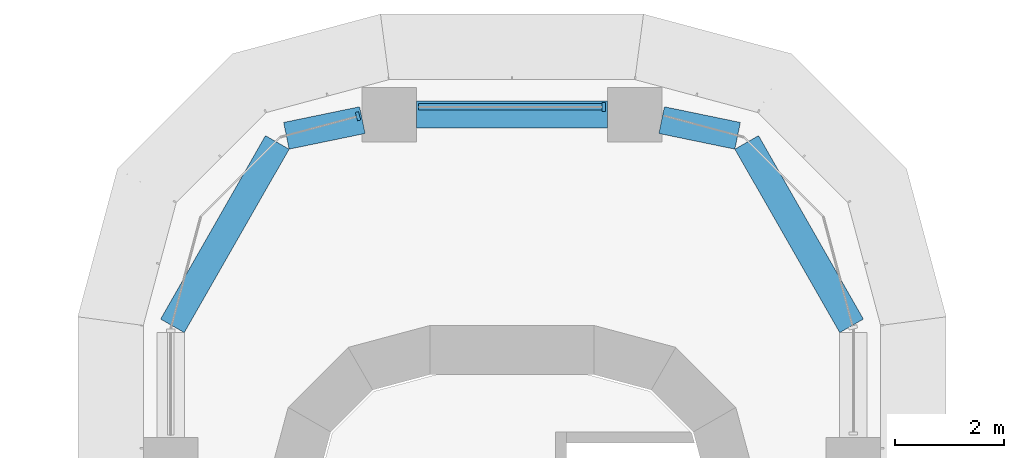
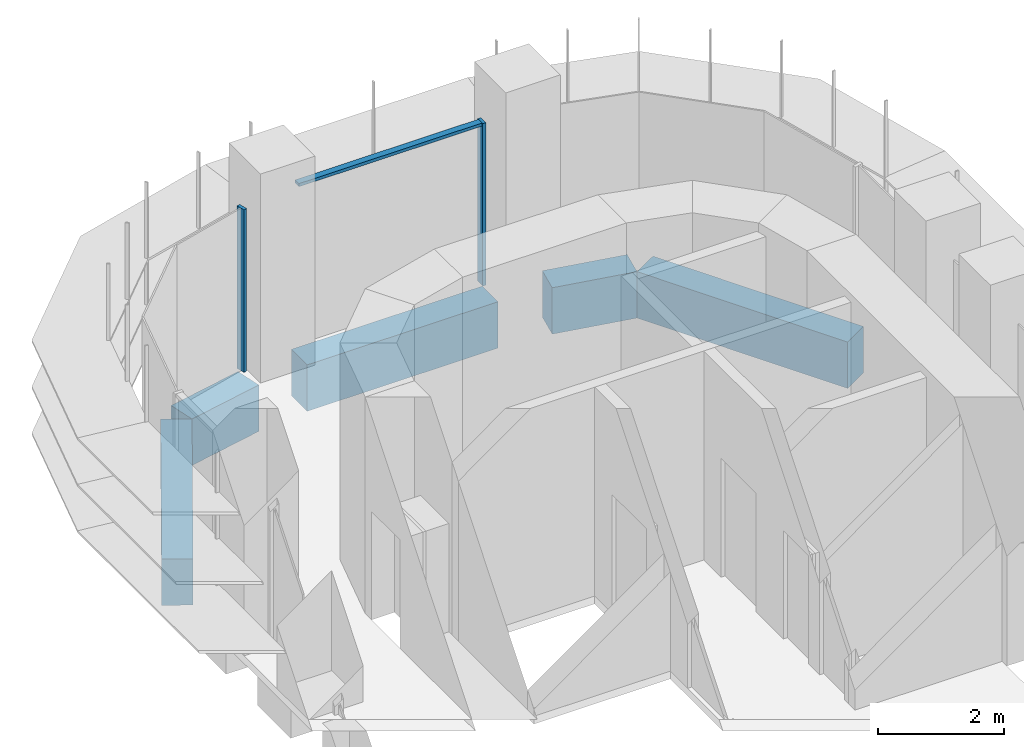
# One storey, part 12 of 23: 5 beams, 3 members, 2 elements without a shape of their own.
"""IFC4 building model written with IfcOpenShell, lengths in metres."""

from ifc_helpers import new_model, si_unit, direction, frame, origin, origin_2d, place, context, subcontext, project, spatial, polyline, rectangle, outline, extrude, source, transform, mapped, material, material_profile, profile_set, type_object, element, aggregate, save


model = new_model("IFC4")

# Units and contexts
model_context = context("Model", 3, precision=1e-05, world=origin(), true_north=direction((0.0, 1.0)))
body_context = subcontext(model_context, "Body", "Model", "MODEL_VIEW")
ifc_project = project(units=[si_unit("LENGTHUNIT", "METRE"), si_unit("AREAUNIT", "SQUARE_METRE"), si_unit("VOLUMEUNIT", "CUBIC_METRE"), si_unit("PLANEANGLEUNIT", "RADIAN"), si_unit("MASSUNIT", "GRAM", prefix="KILO")], contexts=[model_context])

# Site, building, storey
site_placement = place(None, origin())
site = spatial("IfcSite", under=ifc_project, at=site_placement, CompositionType="ELEMENT")
building_placement = place(site_placement, origin())
building = spatial("IfcBuilding", under=site, at=building_placement, Name="Zarbagh Exchange Tower", CompositionType="ELEMENT")
storey_placement = place(building_placement, frame((0.0, 0.0, 48.0)))
storey = spatial("IfcBuildingStorey", under=building, at=storey_placement, Name="L10", CompositionType="ELEMENT", Elevation=48.0)

# Beams
ifc_material_1 = material(Name="Concrete C60/75", Category="concrete")
ifc_material_profile = material_profile(ifc_material_1, rectangle(XDim=0.5, YDim=0.89990234375, at=origin_2d()), Name="RC spandrel beam 500 x 900 C60/75")
ifc_profile_set = profile_set([ifc_material_profile], Name="Concrete C60/75")
beam_type = type_object("IfcBeamType", Name="RC spandrel beam 500 x 900 C60/75", PredefinedType="SPANDREL", material=ifc_profile_set)
beam_1_placement = place(storey_placement, frame((-6.217041015625, 29.24169921875, -0.60009765625), z_axis=(0.496220481126, 0.868196541177, 0.0), x_axis=(-0.868196541177, 0.496220481126, 0.0)))
element("IfcBeam", 1, at=beam_1_placement, inside=storey, type_object=beam_type, Name="RC spandrel beam", PredefinedType="SPANDREL", context=body_context, shape_type="SweptSolid", body=[
    extrude(rectangle(XDim=0.5, YDim=0.89990234375, at=origin_2d()), origin(), (0.0, 0.0, 1.0), 3.869140625),
])
beam_2_placement = place(storey_placement, frame((-4.130615234375, 32.7216796875, -0.60009765625), z_axis=(0.979352054934, 0.202162193541, 0.0), x_axis=(-0.202162193541, 0.979352054934, 0.0)))
element("IfcBeam", 2, at=beam_2_placement, inside=storey, type_object=beam_type, Name="RC spandrel beam", PredefinedType="SPANDREL", context=body_context, shape_type="SweptSolid", body=[
    extrude(rectangle(XDim=0.5, YDim=0.89990234375, at=origin_2d()), origin(), (0.0, 0.0, 1.0), 1.420166015625),
])
beam_3_placement = place(storey_placement, frame((-1.75, 33.110107421875, -0.60009765625), z_axis=(1.0, 0.0, 0.0), x_axis=(0.0, 1.0, 0.0)))
element("IfcBeam", 3, at=beam_3_placement, inside=storey, type_object=beam_type, Name="RC spandrel beam", PredefinedType="SPANDREL", context=body_context, shape_type="SweptSolid", body=[
    extrude(rectangle(XDim=0.5, YDim=0.89990234375, at=origin_2d()), origin(), (0.0, 0.0, 1.0), 3.5),
])
beam_4_placement = place(storey_placement, frame((2.73974609375, 33.0087890625, -0.60009765625), z_axis=(0.979352054934, -0.202162193541, 0.0), x_axis=(0.202162193541, 0.979352054934, 0.0)))
element("IfcBeam", 4, at=beam_4_placement, inside=storey, type_object=beam_type, Name="RC spandrel beam", PredefinedType="SPANDREL", context=body_context, shape_type="SweptSolid", body=[
    extrude(rectangle(XDim=0.5, YDim=0.89990234375, at=origin_2d()), origin(), (0.0, 0.0, 1.0), 1.420166015625),
])
beam_5_placement = place(storey_placement, frame((4.297119140625, 32.600830078125, -0.60009765625), z_axis=(0.496220481126, -0.868196541177, 0.0), x_axis=(0.868196541177, 0.496220481126, 0.0)))
element("IfcBeam", 5, at=beam_5_placement, inside=storey, type_object=beam_type, Name="RC spandrel beam", PredefinedType="SPANDREL", context=body_context, shape_type="SweptSolid", body=[
    extrude(rectangle(XDim=0.5, YDim=0.89990234375, at=origin_2d()), origin(), (0.0, 0.0, 1.0), 3.869140625),
])

# Curtain wall, member
ifc_material_2 = material(Name="Anodised aluminium frame and glazing", Category="aluminium")
curtain_wall_type = type_object("IfcCurtainWallType", Name="CWA Ribbon glazing, lower zones", PredefinedType="NOTDEFINED", material=ifc_material_2)
curtain_wall_1_placement = place(storey_placement, origin())
curtain_wall_1 = element("IfcCurtainWall", 6, at=curtain_wall_1_placement, inside=storey, type_object=curtain_wall_type, Name="CWA24 curtain wall", PredefinedType="NOTDEFINED")
ifc_material_3 = material(Name="Anodised aluminium frame", Category="aluminium")
member_type_1 = type_object("IfcMemberType", Name="MUA Mullion, anodised aluminium frame", PredefinedType="MULLION", material=ifc_material_3)
shared_shape_1 = source(origin(), body_context, "Body", "SweptSolid", [
    extrude(outline(polyline([(0.0, -0.080078125), (0.06005859375, -0.080078125), (0.06005859375, 0.080078125), (0.0, 0.080078125), (0.0, -0.080078125)])), origin(), (0.0, 0.0, 1.0), 3.14990234375),
])
placement = place(storey_placement, origin())
member_1 = element("IfcMember", 7, at=placement, type_object=member_type_1, Name="CWA24 mullion 1.1", PredefinedType="MULLION", context=body_context, shape_type="MappedRepresentation", body=[
    mapped(shared_shape_1, transform((1.7099609375, 33.25, 0.0), x_axis=(-1.0, 0.0, 0.0), y_axis=(0.0, -1.0, 0.0), z_axis=(0.0, 0.0, 1.0))),
])

curtain_wall_2_placement = place(storey_placement, origin())
curtain_wall_2 = element("IfcCurtainWall", 8, at=curtain_wall_2_placement, inside=storey, type_object=curtain_wall_type, Name="CWA25 curtain wall", PredefinedType="NOTDEFINED")
member_2 = element("IfcMember", 9, at=placement, type_object=member_type_1, Name="CWA25 mullion 1.1", PredefinedType="MULLION", context=body_context, shape_type="MappedRepresentation", body=[
    mapped(shared_shape_1, transform((-2.7900390625, 33.087646484375, 0.0), x_axis=(-0.965924289636, -0.258824779902, 0.0), y_axis=(0.258824779902, -0.965924289636, 0.0), z_axis=(0.0, 0.0, 1.0))),
])
aggregate(curtain_wall_2, [member_2])

# Member
member_type_2 = type_object("IfcMemberType", Name="TRA Transom, anodised aluminium frame", PredefinedType="USERDEFINED", material=ifc_material_3)
shared_shape_2 = source(origin(), body_context, "Body", "SweptSolid", [
    extrude(outline(polyline([(-0.06005859375, -0.06005859375), (0.0, -0.06005859375), (0.0, 0.06005859375), (-0.06005859375, 0.06005859375), (-0.06005859375, -0.06005859375)])), origin(), (0.0, 0.0, 1.0), 3.360107421875),
])
member_3 = element("IfcMember", 10, at=placement, type_object=member_type_2, Name="CWA24 transom 1.1", ObjectType="TRANSOM", PredefinedType="USERDEFINED", context=body_context, shape_type="MappedRepresentation", body=[
    mapped(shared_shape_2, transform((1.64990234375, 33.25, 3.14990234375), x_axis=(0.0, 0.0, 1.0), y_axis=(0.0, 1.0, 0.0), z_axis=(-1.0, 0.0, 0.0))),
])

aggregate(curtain_wall_1, [member_1, member_3])

save(model, "model.ifc")
